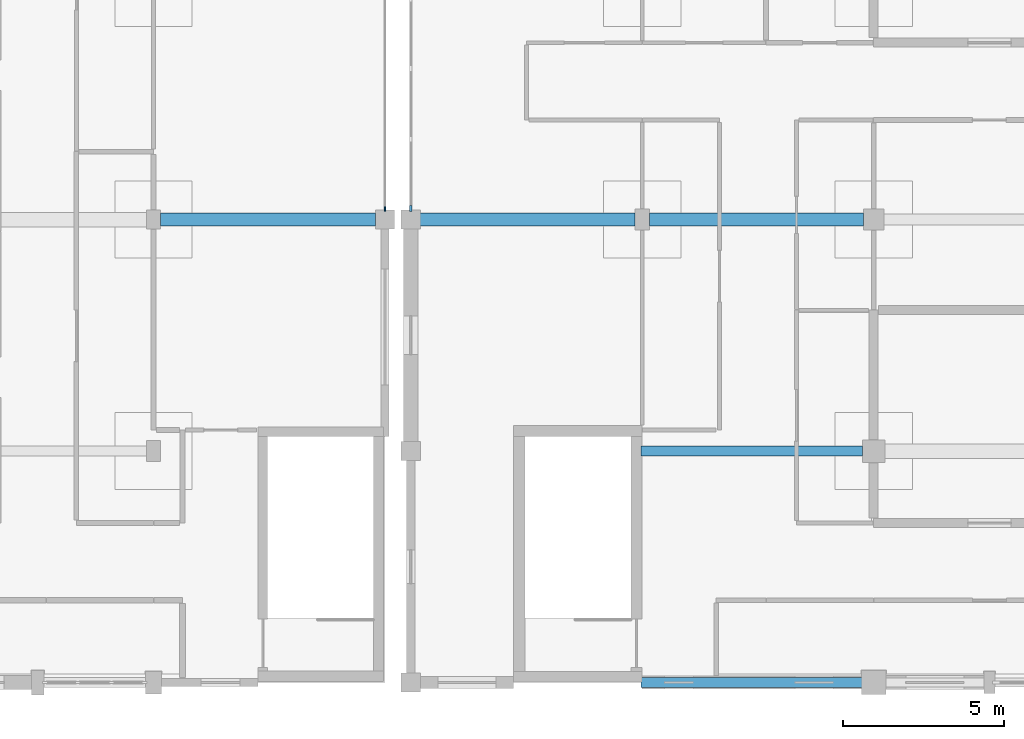
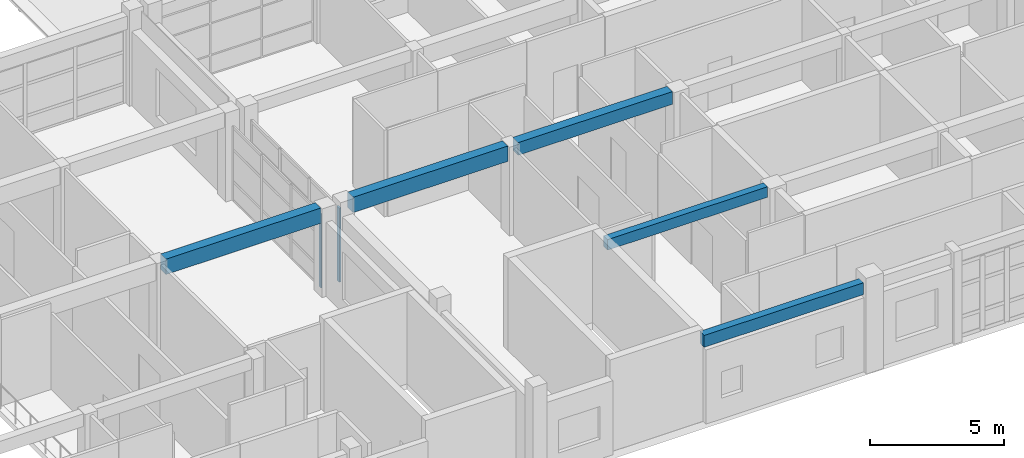
# One storey, part 19 of 110: 5 beams, 2 members, 2 elements without a shape of their own.
"""IFC4 building model written with IfcOpenShell, lengths in metres."""

from ifc_helpers import new_model, si_unit, direction, frame, origin, origin_2d, place, context, subcontext, project, spatial, rectangle, extrude, material, material_profile, profile_set, type_object, element, aggregate, save


model = new_model("IFC4")

# Units and contexts
model_context = context("Model", 3, precision=1e-05, world=origin(), true_north=direction((0.0, 1.0)))
body_context = subcontext(model_context, "Body", "Model", "MODEL_VIEW")
ifc_project = project(units=[si_unit("LENGTHUNIT", "METRE"), si_unit("AREAUNIT", "SQUARE_METRE"), si_unit("VOLUMEUNIT", "CUBIC_METRE"), si_unit("PLANEANGLEUNIT", "RADIAN"), si_unit("MASSUNIT", "GRAM", prefix="KILO")], contexts=[model_context])

# Site, building, storey
site_placement = place(None, origin())
site = spatial("IfcSite", under=ifc_project, at=site_placement, CompositionType="ELEMENT")
building_placement = place(site_placement, origin())
building = spatial("IfcBuilding", under=site, at=building_placement, Name="Steenspoor Specialist Clinic", CompositionType="ELEMENT")
storey_placement = place(building_placement, frame((0.0, 0.0, 4.800048828125)))
storey = spatial("IfcBuildingStorey", under=building, at=storey_placement, Name="L01", CompositionType="ELEMENT", Elevation=4.800048828125)

# Beams
ifc_material_1 = material(Name="Concrete C35/45", Category="concrete")
ifc_material_profile_1 = material_profile(ifc_material_1, rectangle(XDim=0.300048828125, YDim=0.47998046875, at=origin_2d()), Name="RC-BM-300X480")
ifc_profile_set_1 = profile_set([ifc_material_profile_1], Name="Concrete C35/45")
beam_type_1 = type_object("IfcBeamType", Name="BM-RC-300X480", PredefinedType="BEAM", material=ifc_profile_set_1)
beam_1_placement = place(storey_placement, frame((125.155029296875, 20.25, 3.794921875), z_axis=(1.0, 0.0, 0.0), x_axis=(0.0, 1.0, 0.0)))
element("IfcBeam", 1, at=beam_1_placement, inside=storey, type_object=beam_type_1, Name="BM-V2-L01-X0248", PredefinedType="BEAM", context=body_context, shape_type="SweptSolid", body=[
    extrude(rectangle(XDim=0.300048828125, YDim=0.47998046875, at=origin_2d()), origin(), (0.0, 0.0, 1.0), 6.89990234375),
])
ifc_material_profile_2 = material_profile(ifc_material_1, rectangle(XDim=0.39990234375, YDim=0.580078125, at=origin_2d()), Name="RC-BM-400X580")
ifc_profile_set_2 = profile_set([ifc_material_profile_2], Name="Concrete C35/45")
beam_type_2 = type_object("IfcBeamType", Name="BM-RC-400X580", PredefinedType="BEAM", material=ifc_profile_set_2)
beam_2_placement = place(storey_placement, frame((125.419921875, 27.449951171875, 3.744873046875), z_axis=(1.0, 0.0, 0.0), x_axis=(0.0, 1.0, 0.0)))
element("IfcBeam", 2, at=beam_2_placement, inside=storey, type_object=beam_type_2, Name="BM-V2-L01-X0253", PredefinedType="BEAM", context=body_context, shape_type="SweptSolid", body=[
    extrude(rectangle(XDim=0.39990234375, YDim=0.580078125, at=origin_2d()), origin(), (0.0, 0.0, 1.0), 6.66015625),
])
ifc_material_profile_3 = material_profile(ifc_material_1, rectangle(XDim=0.39990234375, YDim=0.699951171875, at=origin_2d()), Name="RC-BM-400X700")
ifc_profile_set_3 = profile_set([ifc_material_profile_3], Name="Concrete C35/45")
beam_type_3 = type_object("IfcBeamType", Name="BM-RC-400X700", PredefinedType="BEAM", material=ifc_profile_set_3)
for number, where, z_axis, x_axis, name in (
    (3, (110.219970703125, 27.449951171875, 3.68505859375), (1.0, 0.0, 0.0), (0.0, 1.0, 0.0), "BM-V1-L01-X0133"),
    (4, (118.294921875, 27.449951171875, 3.68505859375), (1.0, 0.0, 0.0), (0.0, 1.0, 0.0), "BM-V2-L01-X0252"),
):
    element("IfcBeam", number, at=place(storey_placement, frame(where, z_axis=z_axis, x_axis=x_axis)), inside=storey, type_object=beam_type_3, Name=name, PredefinedType="BEAM", context=body_context, shape_type="SweptSolid", body=[
        extrude(rectangle(XDim=0.39990234375, YDim=0.699951171875, at=origin_2d()), origin(), (0.0, 0.0, 1.0), 6.68505859375),
    ])

# Curtain wall, member
ifc_material_2 = material(Name="Thermally broken aluminium and low-emissivity glass", Category="aluminium")
curtain_wall_type_1 = type_object("IfcCurtainWallType", Name="CW-L00-660X415", PredefinedType="USERDEFINED", material=ifc_material_2)
curtain_wall_1_placement = place(storey_placement, origin())
curtain_wall_1 = element("IfcCurtainWall", 5, at=curtain_wall_1_placement, inside=storey, type_object=curtain_wall_type_1, Name="Unitised Curtain Wall CW-V1-L01-028", ObjectType="UNITISED GLAZING", PredefinedType="USERDEFINED")
ifc_material_3 = material(Name="Thermally broken aluminium 6063-T6", Category="aluminium")
ifc_material_profile_4 = material_profile(ifc_material_3, rectangle(XDim=0.06005859375, YDim=0.135009765625, at=origin_2d()), Name="CWM-60X135")
ifc_profile_set_4 = profile_set([ifc_material_profile_4], Name="Thermally broken aluminium 6063-T6")
member_type_1 = type_object("IfcMemberType", Name="CW-MULL-60X135", PredefinedType="MULLION", material=ifc_profile_set_4)
member_1_placement = place(storey_placement, frame((117.199951171875, 27.780029296875, 0.0), z_axis=(0.0, 0.0, 1.0), x_axis=(1.0, 0.0, 0.0)))
member_1 = element("IfcMember", 6, at=member_1_placement, type_object=member_type_1, Name="CW-04 mullion 4", PredefinedType="MULLION", context=body_context, shape_type="SweptSolid", body=[
    extrude(rectangle(XDim=0.06005859375, YDim=0.135009765625, at=origin_2d()), origin(), (0.0, 0.0, 1.0), 3.3798828125),
])
aggregate(curtain_wall_1, [member_1])

curtain_wall_type_2 = type_object("IfcCurtainWallType", Name="CW-L00-360X415", PredefinedType="USERDEFINED", material=ifc_material_2)
curtain_wall_2_placement = place(storey_placement, origin())
curtain_wall_2 = element("IfcCurtainWall", 7, at=curtain_wall_2_placement, inside=storey, type_object=curtain_wall_type_2, Name="Unitised Curtain Wall CW-V2-L01-031", ObjectType="UNITISED GLAZING", PredefinedType="USERDEFINED")
ifc_material_profile_5 = material_profile(ifc_material_3, rectangle(XDim=0.080078125, YDim=0.179931640625, at=origin_2d()), Name="CWM-80X180")
ifc_profile_set_5 = profile_set([ifc_material_profile_5], Name="Thermally broken aluminium 6063-T6")
member_type_2 = type_object("IfcMemberType", Name="CW-MULL-80X180", PredefinedType="MULLION", material=ifc_profile_set_5)
member_2_placement = place(storey_placement, frame((118.0, 27.7900390625, 0.0), z_axis=(0.0, 0.0, 1.0), x_axis=(-1.0, 0.0, 0.0)))
member_2 = element("IfcMember", 8, at=member_2_placement, type_object=member_type_2, Name="CW-07 mullion 1", PredefinedType="MULLION", context=body_context, shape_type="SweptSolid", body=[
    extrude(rectangle(XDim=0.080078125, YDim=0.179931640625, at=origin_2d()), origin(), (0.0, 0.0, 1.0), 3.3798828125),
])
aggregate(curtain_wall_2, [member_2])

# Beam
ifc_material_profile_6 = material_profile(ifc_material_1, rectangle(XDim=0.320068359375, YDim=0.5400390625, at=origin_2d()), Name="RC-SP-320X540")
ifc_profile_set_6 = profile_set([ifc_material_profile_6], Name="Concrete C35/45")
beam_type_4 = type_object("IfcBeamType", Name="SP-RC-320X540", PredefinedType="SPANDREL", material=ifc_profile_set_6)
beam_3_placement = place(storey_placement, frame((125.155029296875, 13.050048828125, 3.764892578125), z_axis=(1.0, 0.0, 0.0), x_axis=(0.0, 1.0, 0.0)))
element("IfcBeam", 9, at=beam_3_placement, inside=storey, type_object=beam_type_4, Name="BM-V2-L01-X0243", PredefinedType="SPANDREL", context=body_context, shape_type="SweptSolid", body=[
    extrude(rectangle(XDim=0.320068359375, YDim=0.5400390625, at=origin_2d()), origin(), (0.0, 0.0, 1.0), 6.875),
])

save(model, "model.ifc")
